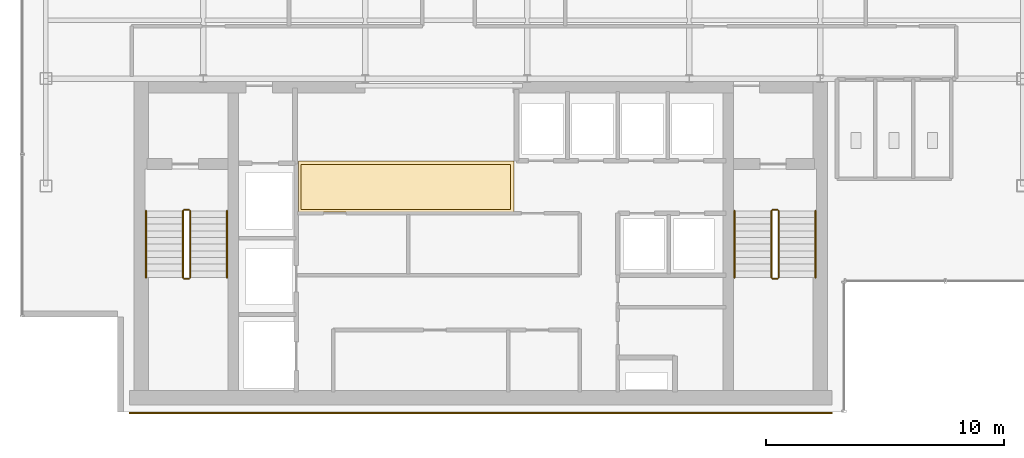
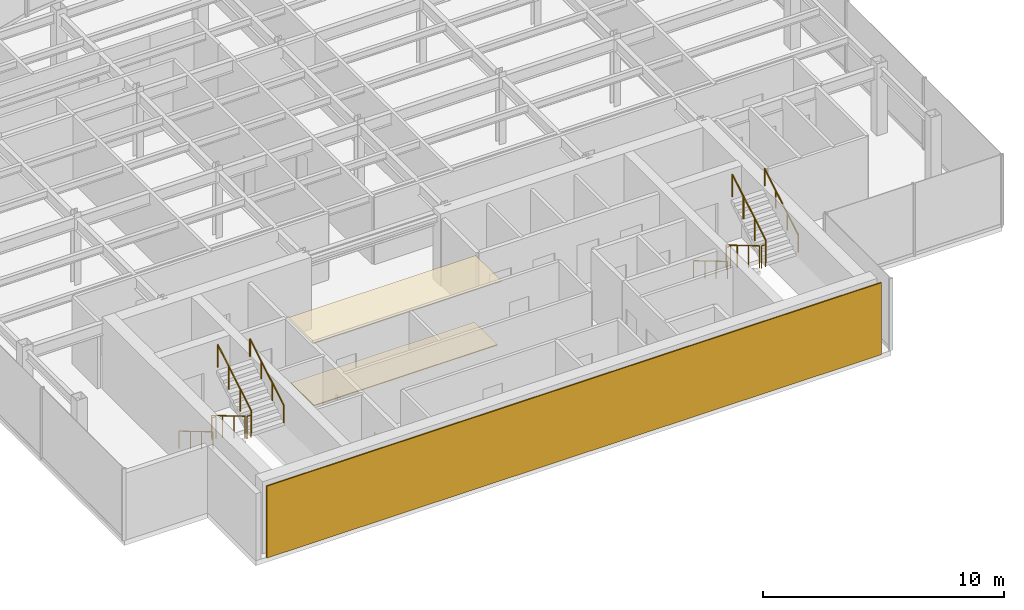
# One storey, part 20 of 22: 12 railings, 3 coverings.
"""IFC4 building model written with IfcOpenShell, lengths in metres."""

from ifc_helpers import new_model, si_unit, derived_unit, direction, frame, origin, origin_2d, place, context, subcontext, project, spatial, polyline, rectangle, circle, outline, extrude, source, transform, mapped, material, layer, layer_set, type_object, element, save


model = new_model("IFC4")

# Units and contexts
model_context = context("Model", 3, precision=1e-05, world=origin(), true_north=direction((0.0, 1.0)))
body_context = subcontext(model_context, "Body", "Model", "MODEL_VIEW")
ifc_project = project(units=[si_unit("LENGTHUNIT", "METRE"), si_unit("AREAUNIT", "SQUARE_METRE"), si_unit("VOLUMEUNIT", "CUBIC_METRE"), si_unit("PLANEANGLEUNIT", "RADIAN"), si_unit("MASSUNIT", "GRAM", prefix="KILO"), derived_unit("THERMALTRANSMITTANCEUNIT", [(si_unit("POWERUNIT", "WATT"), 1), (si_unit("LENGTHUNIT", "METRE"), -2), (si_unit("THERMODYNAMICTEMPERATUREUNIT", "KELVIN"), -1)])], contexts=[model_context])

# Site, building, storey
site_placement = place(None, origin())
site = spatial("IfcSite", under=ifc_project, at=site_placement, CompositionType="ELEMENT")
building_placement = place(site_placement, origin())
building = spatial("IfcBuilding", under=site, at=building_placement, Name="Skarnbrae Concourse Arena and Tower", CompositionType="ELEMENT")
storey_placement = place(building_placement, frame((0.0, 0.0, 214.14990234375)))
storey = spatial("IfcBuildingStorey", under=building, at=storey_placement, Name="L55", CompositionType="ELEMENT", Elevation=214.14990234375)

# Coverings
ifc_material_1 = material(Name="Mineral fibre acoustic ceiling tile", Category="other")
ifc_layer_1 = layer(ifc_material_1, 0.0400390625)
ifc_layer_set_1 = layer_set([ifc_layer_1], Name="Mineral fibre acoustic ceiling tile")
covering_type_1 = type_object("IfcCoveringType", Name="COV-CEIL-ACOUSTIC", PredefinedType="CEILING", material=ifc_layer_set_1)
covering_1_placement = place(storey_placement, frame((0.0, 0.0, 3.239990234375)))
element("IfcCovering", 1, at=covering_1_placement, inside=storey, type_object=covering_type_1, Name="L55 Lift lobby acoustic ceiling", PredefinedType="CEILING", context=body_context, shape_type="SweptSolid", body=[
    extrude(outline(polyline([(11.60009765625, 8.39990234375), (20.64990234375, 8.39990234375), (20.64990234375, 10.550048828125), (11.60009765625, 10.550048828125), (11.60009765625, 8.39990234375)])), origin(), (0.0, 0.0, 1.0), 0.0400390625),
])
ifc_material_2 = material(Name="Polished granite terrazzo flooring", Category="masonry")
ifc_layer_2 = layer(ifc_material_2, 0.0400390625)
ifc_layer_set_2 = layer_set([ifc_layer_2], Name="Polished granite terrazzo flooring")
covering_type_2 = type_object("IfcCoveringType", Name="COV-FLOOR-TERRAZZO", PredefinedType="FLOORING", material=ifc_layer_set_2)
covering_2_placement = place(storey_placement, origin())
element("IfcCovering", 2, at=covering_2_placement, inside=storey, type_object=covering_type_2, Name="L55 Lift lobby terrazzo flooring", PredefinedType="FLOORING", context=body_context, shape_type="SweptSolid", body=[
    extrude(outline(polyline([(11.699951171875, 8.5), (20.5, 8.5), (20.5, 10.39990234375), (11.699951171875, 10.39990234375), (11.699951171875, 8.5)])), origin(), (0.0, 0.0, 1.0), 0.0400390625),
])

# Railings
ifc_material_3 = material(Name="Steel CSA G40.21 350W", Category="steel")
railing_type_1 = type_object("IfcRailingType", Name="RAIL-HANDRAIL-900", PredefinedType="HANDRAIL", material=ifc_material_3)
railing_1_placement = place(storey_placement, frame((5.199951171875, 8.449951171875, 0.166015625)))
element("IfcRailing", 3, at=railing_1_placement, inside=storey, type_object=railing_type_1, Name="L55 ST-1 stair handrail 1", PredefinedType="HANDRAIL", context=body_context, shape_type="SweptSolid", body=[
    extrude(circle(Radius=0.02392578125, at=origin_2d()), frame((0.0, 0.0, 0.8759765625), z_axis=(0.0, -0.860306154799, 0.50977771628), x_axis=(1.0, 0.0, 0.0)), (0.0, 0.0, 1.0), 3.254638671875),
    extrude(circle(Radius=0.02099609375, at=origin_2d()), origin(), (0.0, 0.0, 1.0), 0.851806640625),
    extrude(circle(Radius=0.02099609375, at=origin_2d()), frame((0.0, -0.933349609375, 0.552978515625)), (0.0, 0.0, 1.0), 0.851806640625),
    extrude(circle(Radius=0.02099609375, at=origin_2d()), frame((0.0, -1.86669921875, 1.106201171875)), (0.0, 0.0, 1.0), 0.851806640625),
    extrude(circle(Radius=0.02099609375, at=origin_2d()), frame((0.0, -2.800048828125, 1.6591796875)), (0.0, 0.0, 1.0), 0.851806640625),
])
railing_2_placement = place(storey_placement, frame((8.60009765625, 5.64990234375, 1.990966796875)))
element("IfcRailing", 4, at=railing_2_placement, inside=storey, type_object=railing_type_1, Name="L55 ST-1 stair handrail 2", PredefinedType="HANDRAIL", context=body_context, shape_type="SweptSolid", body=[
    extrude(circle(Radius=0.02392578125, at=origin_2d()), frame((0.0, 0.0, 0.8759765625), z_axis=(0.0, 0.860306154799, 0.50977771628), x_axis=(-1.0, 0.0, 0.0)), (0.0, 0.0, 1.0), 3.254638671875),
    extrude(circle(Radius=0.02099609375, at=origin_2d()), origin(), (0.0, 0.0, 1.0), 0.851806640625),
    extrude(circle(Radius=0.02099609375, at=origin_2d()), frame((0.0, 0.933349609375, 0.552978515625)), (0.0, 0.0, 1.0), 0.851806640625),
    extrude(circle(Radius=0.02099609375, at=origin_2d()), frame((0.0, 1.86669921875, 1.106201171875)), (0.0, 0.0, 1.0), 0.851806640625),
    extrude(circle(Radius=0.02099609375, at=origin_2d()), frame((0.0, 2.800048828125, 1.6591796875)), (0.0, 0.0, 1.0), 0.851806640625),
])
railing_3_placement = place(storey_placement, frame((29.89990234375, 8.449951171875, 0.166015625)))
element("IfcRailing", 5, at=railing_3_placement, inside=storey, type_object=railing_type_1, Name="L55 ST-2 stair handrail 1", PredefinedType="HANDRAIL", context=body_context, shape_type="SweptSolid", body=[
    extrude(circle(Radius=0.02392578125, at=origin_2d()), frame((0.0, 0.0, 0.8759765625), z_axis=(0.0, -0.860306154799, 0.50977771628), x_axis=(1.0, 0.0, 0.0)), (0.0, 0.0, 1.0), 3.254638671875),
    extrude(circle(Radius=0.02099609375, at=origin_2d()), origin(), (0.0, 0.0, 1.0), 0.851806640625),
    extrude(circle(Radius=0.02099609375, at=origin_2d()), frame((0.0, -0.933349609375, 0.552978515625)), (0.0, 0.0, 1.0), 0.851806640625),
    extrude(circle(Radius=0.02099609375, at=origin_2d()), frame((0.0, -1.86669921875, 1.106201171875)), (0.0, 0.0, 1.0), 0.851806640625),
    extrude(circle(Radius=0.02099609375, at=origin_2d()), frame((0.0, -2.800048828125, 1.6591796875)), (0.0, 0.0, 1.0), 0.851806640625),
])
railing_4_placement = place(storey_placement, frame((33.300048828125, 5.64990234375, 1.990966796875)))
element("IfcRailing", 6, at=railing_4_placement, inside=storey, type_object=railing_type_1, Name="L55 ST-2 stair handrail 2", PredefinedType="HANDRAIL", context=body_context, shape_type="SweptSolid", body=[
    extrude(circle(Radius=0.02392578125, at=origin_2d()), frame((0.0, 0.0, 0.8759765625), z_axis=(0.0, 0.860306154799, 0.50977771628), x_axis=(-1.0, 0.0, 0.0)), (0.0, 0.0, 1.0), 3.254638671875),
    extrude(circle(Radius=0.02099609375, at=origin_2d()), origin(), (0.0, 0.0, 1.0), 0.851806640625),
    extrude(circle(Radius=0.02099609375, at=origin_2d()), frame((0.0, 0.933349609375, 0.552978515625)), (0.0, 0.0, 1.0), 0.851806640625),
    extrude(circle(Radius=0.02099609375, at=origin_2d()), frame((0.0, 1.86669921875, 1.106201171875)), (0.0, 0.0, 1.0), 0.851806640625),
    extrude(circle(Radius=0.02099609375, at=origin_2d()), frame((0.0, 2.800048828125, 1.6591796875)), (0.0, 0.0, 1.0), 0.851806640625),
])
railing_type_2 = type_object("IfcRailingType", Name="RAIL-STAIR-GUARD-1150", PredefinedType="GUARDRAIL", material=ifc_material_3)
railing_5_placement = place(storey_placement, frame((6.75, 8.449951171875, 0.166015625)))
element("IfcRailing", 7, at=railing_5_placement, inside=storey, type_object=railing_type_2, Name="L55 ST-1 stair guard 1", PredefinedType="GUARDRAIL", context=body_context, shape_type="SweptSolid", body=[
    extrude(circle(Radius=0.02392578125, at=origin_2d()), frame((0.0, 0.0, 1.1259765625), z_axis=(0.0, -0.860306154799, 0.50977771628), x_axis=(1.0, 0.0, 0.0)), (0.0, 0.0, 1.0), 3.254638671875),
    extrude(circle(Radius=0.02099609375, at=origin_2d()), origin(), (0.0, 0.0, 1.0), 1.101806640625),
    extrude(circle(Radius=0.02099609375, at=origin_2d()), frame((0.0, -0.933349609375, 0.552978515625)), (0.0, 0.0, 1.0), 1.101806640625),
    extrude(circle(Radius=0.02099609375, at=origin_2d()), frame((0.0, -1.86669921875, 1.106201171875)), (0.0, 0.0, 1.0), 1.101806640625),
    extrude(circle(Radius=0.02099609375, at=origin_2d()), frame((0.0, -2.800048828125, 1.6591796875)), (0.0, 0.0, 1.0), 1.101806640625),
])
railing_6_placement = place(storey_placement, frame((6.800048828125, 5.60009765625, 1.8251953125)))
element("IfcRailing", 8, at=railing_6_placement, inside=storey, type_object=railing_type_2, Name="L55 ST-1 stair guard 2", PredefinedType="GUARDRAIL", context=body_context, shape_type="SweptSolid", body=[
    extrude(circle(Radius=0.02392578125, at=origin_2d()), frame((0.0, 0.0, 1.1259765625), z_axis=(1.0, 0.0, 0.0), x_axis=(0.0, 1.0, 0.0)), (0.0, 0.0, 1.0), 0.199951171875),
    extrude(circle(Radius=0.02099609375, at=origin_2d()), origin(), (0.0, 0.0, 1.0), 1.101806640625),
    extrude(circle(Radius=0.02099609375, at=origin_2d()), frame((0.199951171875, 0.0, 0.0)), (0.0, 0.0, 1.0), 1.101806640625),
])
railing_7_placement = place(storey_placement, frame((7.050048828125, 5.64990234375, 1.990966796875)))
element("IfcRailing", 9, at=railing_7_placement, inside=storey, type_object=railing_type_2, Name="L55 ST-1 stair guard 3", PredefinedType="GUARDRAIL", context=body_context, shape_type="SweptSolid", body=[
    extrude(circle(Radius=0.02392578125, at=origin_2d()), frame((0.0, 0.0, 1.1259765625), z_axis=(0.0, 0.860306154799, 0.50977771628), x_axis=(-1.0, 0.0, 0.0)), (0.0, 0.0, 1.0), 3.254638671875),
    extrude(circle(Radius=0.02099609375, at=origin_2d()), origin(), (0.0, 0.0, 1.0), 1.101806640625),
    extrude(circle(Radius=0.02099609375, at=origin_2d()), frame((0.0, 0.933349609375, 0.552978515625)), (0.0, 0.0, 1.0), 1.101806640625),
    extrude(circle(Radius=0.02099609375, at=origin_2d()), frame((0.0, 1.86669921875, 1.106201171875)), (0.0, 0.0, 1.0), 1.101806640625),
    extrude(circle(Radius=0.02099609375, at=origin_2d()), frame((0.0, 2.800048828125, 1.6591796875)), (0.0, 0.0, 1.0), 1.101806640625),
])
railing_8_placement = place(storey_placement, frame((6.800048828125, 8.5, 0.0)))
element("IfcRailing", 10, at=railing_8_placement, inside=storey, type_object=railing_type_2, Name="L55 ST-1 stair guard 4", PredefinedType="GUARDRAIL", context=body_context, shape_type="SweptSolid", body=[
    extrude(circle(Radius=0.02392578125, at=origin_2d()), frame((0.0, 0.0, 1.1259765625), z_axis=(1.0, 0.0, 0.0), x_axis=(0.0, 1.0, 0.0)), (0.0, 0.0, 1.0), 0.199951171875),
    extrude(circle(Radius=0.02099609375, at=origin_2d()), origin(), (0.0, 0.0, 1.0), 1.101806640625),
    extrude(circle(Radius=0.02099609375, at=origin_2d()), frame((0.199951171875, 0.0, 0.0)), (0.0, 0.0, 1.0), 1.101806640625),
])
railing_9_placement = place(storey_placement, frame((31.449951171875, 8.449951171875, 0.166015625)))
element("IfcRailing", 11, at=railing_9_placement, inside=storey, type_object=railing_type_2, Name="L55 ST-2 stair guard 1", PredefinedType="GUARDRAIL", context=body_context, shape_type="SweptSolid", body=[
    extrude(circle(Radius=0.02392578125, at=origin_2d()), frame((0.0, 0.0, 1.1259765625), z_axis=(0.0, -0.860306154799, 0.50977771628), x_axis=(1.0, 0.0, 0.0)), (0.0, 0.0, 1.0), 3.254638671875),
    extrude(circle(Radius=0.02099609375, at=origin_2d()), origin(), (0.0, 0.0, 1.0), 1.101806640625),
    extrude(circle(Radius=0.02099609375, at=origin_2d()), frame((0.0, -0.933349609375, 0.552978515625)), (0.0, 0.0, 1.0), 1.101806640625),
    extrude(circle(Radius=0.02099609375, at=origin_2d()), frame((0.0, -1.86669921875, 1.106201171875)), (0.0, 0.0, 1.0), 1.101806640625),
    extrude(circle(Radius=0.02099609375, at=origin_2d()), frame((0.0, -2.800048828125, 1.6591796875)), (0.0, 0.0, 1.0), 1.101806640625),
])
railing_10_placement = place(storey_placement, frame((31.5, 5.60009765625, 1.8251953125)))
element("IfcRailing", 12, at=railing_10_placement, inside=storey, type_object=railing_type_2, Name="L55 ST-2 stair guard 2", PredefinedType="GUARDRAIL", context=body_context, shape_type="SweptSolid", body=[
    extrude(circle(Radius=0.02392578125, at=origin_2d()), frame((0.0, 0.0, 1.1259765625), z_axis=(1.0, 0.0, 0.0), x_axis=(0.0, 1.0, 0.0)), (0.0, 0.0, 1.0), 0.199951171875),
    extrude(circle(Radius=0.02099609375, at=origin_2d()), origin(), (0.0, 0.0, 1.0), 1.101806640625),
    extrude(circle(Radius=0.02099609375, at=origin_2d()), frame((0.199951171875, 0.0, 0.0)), (0.0, 0.0, 1.0), 1.101806640625),
])
railing_11_placement = place(storey_placement, frame((31.75, 5.64990234375, 1.990966796875)))
element("IfcRailing", 13, at=railing_11_placement, inside=storey, type_object=railing_type_2, Name="L55 ST-2 stair guard 3", PredefinedType="GUARDRAIL", context=body_context, shape_type="SweptSolid", body=[
    extrude(circle(Radius=0.02392578125, at=origin_2d()), frame((0.0, 0.0, 1.1259765625), z_axis=(0.0, 0.860306154799, 0.50977771628), x_axis=(-1.0, 0.0, 0.0)), (0.0, 0.0, 1.0), 3.254638671875),
    extrude(circle(Radius=0.02099609375, at=origin_2d()), origin(), (0.0, 0.0, 1.0), 1.101806640625),
    extrude(circle(Radius=0.02099609375, at=origin_2d()), frame((0.0, 0.933349609375, 0.552978515625)), (0.0, 0.0, 1.0), 1.101806640625),
    extrude(circle(Radius=0.02099609375, at=origin_2d()), frame((0.0, 1.86669921875, 1.106201171875)), (0.0, 0.0, 1.0), 1.101806640625),
    extrude(circle(Radius=0.02099609375, at=origin_2d()), frame((0.0, 2.800048828125, 1.6591796875)), (0.0, 0.0, 1.0), 1.101806640625),
])
railing_12_placement = place(storey_placement, frame((31.5, 8.5, 0.0)))
element("IfcRailing", 14, at=railing_12_placement, inside=storey, type_object=railing_type_2, Name="L55 ST-2 stair guard 4", PredefinedType="GUARDRAIL", context=body_context, shape_type="SweptSolid", body=[
    extrude(circle(Radius=0.02392578125, at=origin_2d()), frame((0.0, 0.0, 1.1259765625), z_axis=(1.0, 0.0, 0.0), x_axis=(0.0, 1.0, 0.0)), (0.0, 0.0, 1.0), 0.199951171875),
    extrude(circle(Radius=0.02099609375, at=origin_2d()), origin(), (0.0, 0.0, 1.0), 1.101806640625),
    extrude(circle(Radius=0.02099609375, at=origin_2d()), frame((0.199951171875, 0.0, 0.0)), (0.0, 0.0, 1.0), 1.101806640625),
])

# Covering
ifc_material_4 = material(Name="Bronze anodised aluminium 6063-T6", Category="aluminium")
ifc_layer_3 = layer(ifc_material_4, 0.06005859375)
ifc_layer_set_3 = layer_set([ifc_layer_3], Name="Bronze anodised aluminium 6063-T6")
covering_type_3 = type_object("IfcCoveringType", Name="COV-CLAD-BRONZE-60", PredefinedType="CLADDING", material=ifc_layer_set_3)
shared_shape = source(origin(), body_context, "Body", "SweptSolid", [
    extrude(rectangle(XDim=29.5, YDim=0.06005859375, at=origin_2d()), origin(), (0.0, 0.0, 1.0), 3.64990234375),
])
covering_3_placement = place(storey_placement, frame((19.25, -0.030029296875, 0.000244140625), z_axis=(0.0, 0.0, 1.0), x_axis=(1.0, 0.0, 0.0)))
element("IfcCovering", 15, at=covering_3_placement, inside=storey, type_object=covering_type_3, Name="L55 Rear-core plumb spine bronze rainscreen panel", PredefinedType="CLADDING", context=body_context, shape_type="MappedRepresentation", body=[
    mapped(shared_shape, transform((0.0, 0.0, 0.0))),
])

save(model, "model.ifc")
